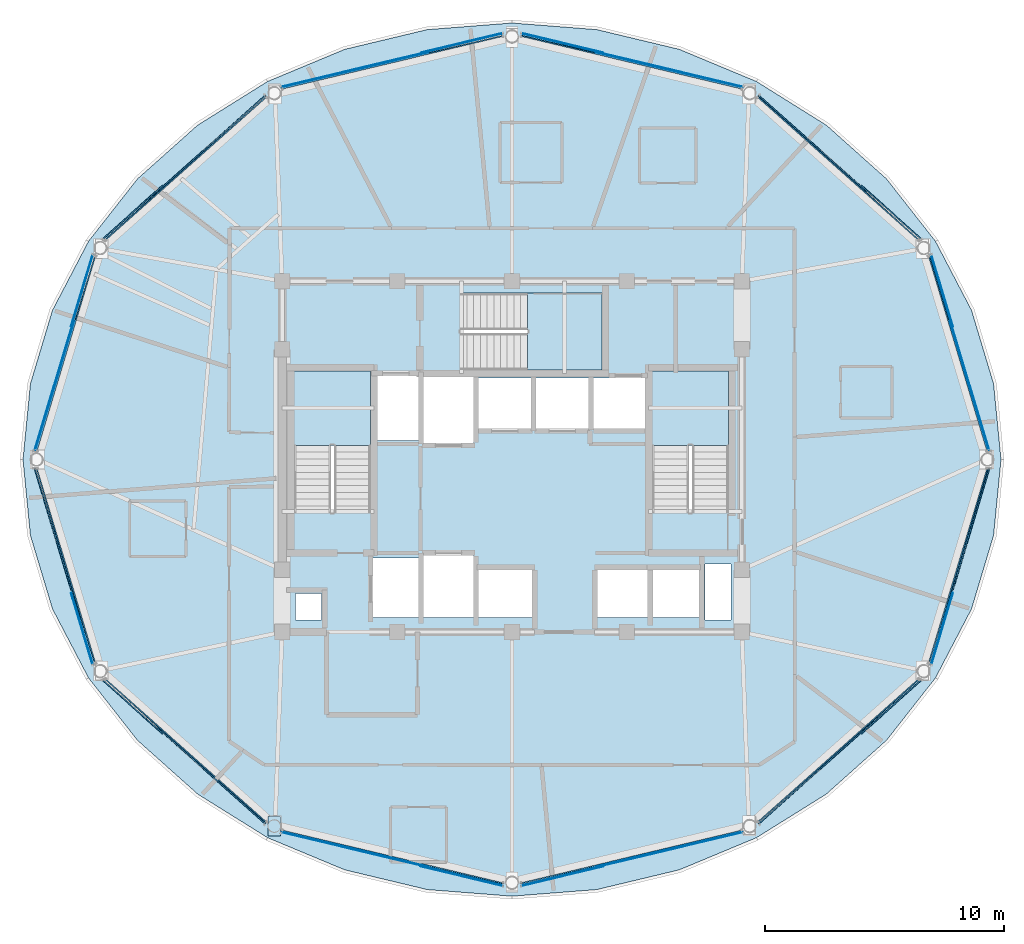
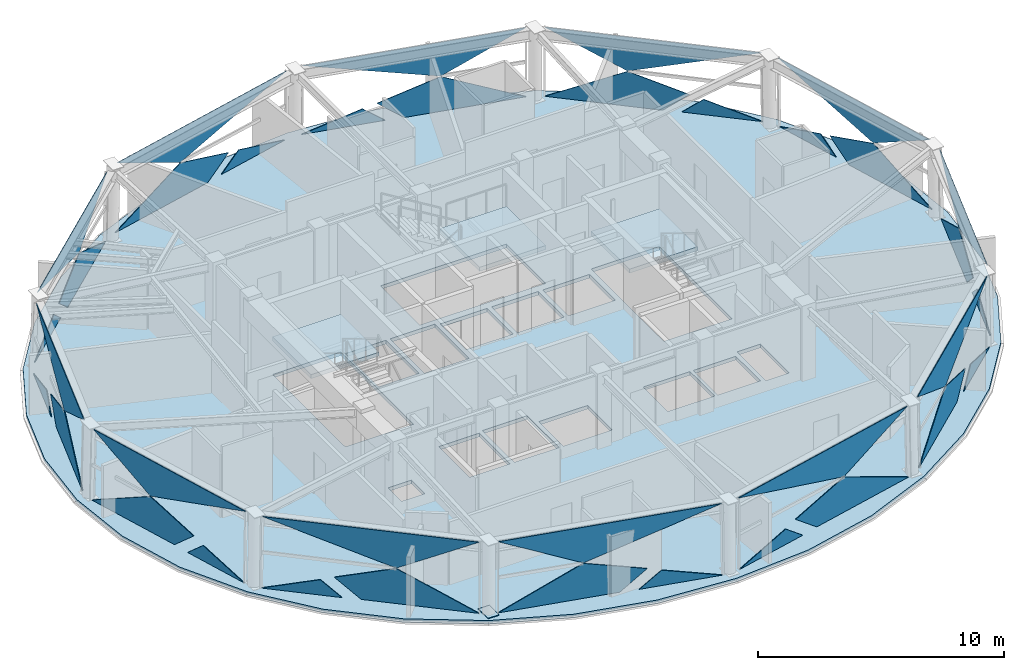
# One storey, part 7 of 15: 37 plates, 4 slabs, 15 elements without a shape of their own.
"""IFC4 building model written with IfcOpenShell, lengths in metres."""

from ifc_helpers import new_model, si_unit, direction, frame, origin, place, context, subcontext, project, spatial, polyline, outline, extrude, material, layer, layer_set, type_object, element, aggregate, save


model = new_model("IFC4")

# Units and contexts
model_context = context("Model", 3, precision=1e-05, world=origin(), true_north=direction((0.0, 1.0)))
body_context = subcontext(model_context, "Body", "Model", "MODEL_VIEW")
ifc_project = project(units=[si_unit("LENGTHUNIT", "METRE"), si_unit("AREAUNIT", "SQUARE_METRE"), si_unit("VOLUMEUNIT", "CUBIC_METRE"), si_unit("PLANEANGLEUNIT", "RADIAN"), si_unit("MASSUNIT", "GRAM", prefix="KILO")], contexts=[model_context])

# Site, building, storey
site_placement = place(None, origin())
site = spatial("IfcSite", under=ifc_project, at=site_placement, CompositionType="ELEMENT")
building_placement = place(site_placement, origin())
building = spatial("IfcBuilding", under=site, at=building_placement, Name="Vantalir Tower", CompositionType="ELEMENT")
storey_placement = place(building_placement, frame((0.0, 0.0, 263.85009765625)))
storey = spatial("IfcBuildingStorey", under=building, at=storey_placement, Name="L66", CompositionType="ELEMENT", Elevation=263.85009765625)

# Curtain wall, plates
ifc_material_1 = material(Name="Champagne-silver PVDF aluminium and double-silver Low-E glass", Category="aluminium")
ifc_layer_1 = layer(ifc_material_1, 0.219970703125)
ifc_layer_set_1 = layer_set([ifc_layer_1], Name="Champagne-silver PVDF aluminium and double-silver Low-E glass")
curtain_wall_type = type_object("IfcCurtainWallType", Name="CW-DIAMOND-Z4", PredefinedType="USERDEFINED", material=ifc_layer_set_1)
curtain_wall_1_placement = place(storey_placement, origin())
curtain_wall_1 = element("IfcCurtainWall", 1, at=curtain_wall_1_placement, inside=storey, type_object=curtain_wall_type, Name="L66 Quilted Pyramid-Diamond Curtain Wall S01", ObjectType="UNITISED CURTAIN WALL", PredefinedType="USERDEFINED")
ifc_material_2 = material(Name="Double-silver Low-E acoustic glass IGU", Category="glass")
ifc_layer_2 = layer(ifc_material_2, 0.031982421875)
ifc_layer_set_2 = layer_set([ifc_layer_2], Name="Double-silver Low-E acoustic glass IGU")
plate_type_1 = type_object("IfcPlateType", Name="CWP-IGU-32", PredefinedType="CURTAIN_PANEL", material=ifc_layer_set_2)
plate_1_placement = place(storey_placement, frame((51.443359375, 25.3876953125, 0.047119140625), z_axis=(0.957579132752, 0.288051979615, 0.008262055344), x_axis=(-0.288061393133, 0.957611941757, -5.2833127e-05)))
plate_1 = element("IfcPlate", 2, at=plate_1_placement, type_object=plate_type_1, Name="CW-L66-S01 Pyramid Diamond Facet 1L", PredefinedType="CURTAIN_PANEL", context=body_context, shape_type="SweptSolid", body=[
    extrude(outline(polyline([(0.0, 0.0), (4.60947018482512, -1.7889335846010823e-18), (5.669747158949871, 0.9322161352033457), (3.244089292170542, 1.7250844007954684), (0.0, 0.0)])), origin(), (0.0, 0.0, -1.0), 0.031982421875),
])
plate_2_placement = place(storey_placement, frame((49.927978515625, 30.55078125, 0.047119140625), z_axis=(0.957578803947, 0.288050896707, 0.008337573853), x_axis=(-0.288060909178, 0.957612088794, 0.0)))
plate_2 = element("IfcPlate", 3, at=plate_2_placement, type_object=plate_type_1, Name="CW-L66-S01 Pyramid Diamond Facet 1L Infill Light", PredefinedType="CURTAIN_PANEL", context=body_context, shape_type="SweptSolid", body=[
    extrude(outline(polyline([(0.0, 0.0), (3.140950845544481, 0.0), (0.851361854346743, 0.7485611748687764), (0.0, 0.0)])), origin(), (0.0, 0.0, -1.0), 0.031982421875),
])
plate_3_placement = place(storey_placement, frame((48.919677734375, 33.51220703125, 3.52294921875), z_axis=(0.957006648877, 0.28786588428, 0.035658192242), x_axis=(0.28805005381, -0.957615353716, -2.8776229e-05)))
plate_3 = element("IfcPlate", 4, at=plate_3_placement, type_object=plate_type_1, Name="CW-L66-S01 Pyramid Diamond Facet 2U", PredefinedType="CURTAIN_PANEL", context=body_context, shape_type="SweptSolid", body=[
    extrude(outline(polyline([(0.0, 0.0), (8.484107619229576, -4.824699667560495e-18), (5.263066325988414, 1.7260438929673474), (0.0, 0.0)])), origin(), (0.0, 0.0, -1.0), 0.031982421875),
])
aggregate(curtain_wall_1, [plate_1, plate_2, plate_3])

curtain_wall_2_placement = place(storey_placement, origin())
curtain_wall_2 = element("IfcCurtainWall", 5, at=curtain_wall_2_placement, inside=storey, type_object=curtain_wall_type, Name="L66 Quilted Pyramid-Diamond Curtain Wall S02", ObjectType="UNITISED CURTAIN WALL", PredefinedType="USERDEFINED")
plate_4_placement = place(storey_placement, frame((45.480712890625, 36.957763671875, 0.046875), z_axis=(0.665246390525, 0.746589332534, 0.007183901462), x_axis=(-0.746608598193, 0.665263557626, -5.0783e-08)))
plate_4 = element("IfcPlate", 6, at=plate_4_placement, type_object=plate_type_1, Name="CW-L66-S02 Pyramid Diamond Facet 1L", PredefinedType="CURTAIN_PANEL", context=body_context, shape_type="SweptSolid", body=[
    extrude(outline(polyline([(0.0, 0.0), (4.886711041195017, 0.0), (1.4535860568821324, 1.7253863935167244), (-1.1151215287686458, 0.9326409490936326), (0.0, 0.0)])), origin(), (0.0, 0.0, -1.0), 0.031982421875),
])
plate_5_placement = place(storey_placement, frame((48.59375, 34.232177734375, 0.046875), z_axis=(0.665239616842, 0.746595391537, 0.007181470549), x_axis=(-0.746614991491, 0.665256378509, 7.3032866e-05)))
plate_5 = element("IfcPlate", 7, at=plate_5_placement, type_object=plate_type_1, Name="CW-L66-S02 Pyramid Diamond Facet 1L Infill Light", PredefinedType="CURTAIN_PANEL", context=body_context, shape_type="SweptSolid", body=[
    extrude(outline(polyline([(0.0, 0.0), (3.3428870807824964, -3.4423418976414766e-18), (2.441822608144259, 0.7535032087373149), (0.0, 0.0)])), origin(), (0.0, 0.0, -1.0), 0.031982421875),
])
plate_6_placement = place(storey_placement, frame((41.792236328125, 40.146728515625, 3.522705078125), z_axis=(0.664843497891, 0.746176490861, 0.034695357008), x_axis=(0.7466247522, -0.665245425726, 5.4343457e-05)))
plate_6 = element("IfcPlate", 8, at=plate_6_placement, type_object=plate_type_1, Name="CW-L66-S02 Pyramid Diamond Facet 2U", PredefinedType="CURTAIN_PANEL", context=body_context, shape_type="SweptSolid", body=[
    extrude(outline(polyline([(0.0, 0.0), (8.985097365156943, 8.239936510889834e-18), (3.4218145293153066, 1.7263229709119723), (0.0, 0.0)])), origin(), (0.0, 0.0, -1.0), 0.031982421875),
])
aggregate(curtain_wall_2, [plate_4, plate_5, plate_6])

curtain_wall_3_placement = place(storey_placement, origin())
curtain_wall_3 = element("IfcCurtainWall", 9, at=curtain_wall_3_placement, inside=storey, type_object=curtain_wall_type, Name="L66 Quilted Pyramid-Diamond Curtain Wall S03", ObjectType="UNITISED CURTAIN WALL", PredefinedType="USERDEFINED")
plate_7_placement = place(storey_placement, frame((41.13623046875, 40.572021484375, 0.046875), z_axis=(0.232147834204, 0.972659969732, 0.006321894939), x_axis=(-0.972679336509, 0.232152764538, -4.7388153e-05)))
plate_7 = element("IfcPlate", 10, at=plate_7_placement, type_object=plate_type_1, Name="CW-L66-S03 Pyramid Diamond Facet 1L", PredefinedType="CURTAIN_PANEL", context=body_context, shape_type="SweptSolid", body=[
    extrude(outline(polyline([(0.0, 0.0), (5.152992034217672, -4.0657581468206416e-19), (6.3239517055065, 0.9319589301265866), (3.616959121264807, 1.7257917774481315), (0.0, 0.0)])), origin(), (0.0, 0.0, -1.0), 0.031982421875),
])
plate_8_placement = place(storey_placement, frame((35.336181640625, 41.993408203125, 0.046875), z_axis=(0.232136332515, 0.972662988728, 0.006279608739), x_axis=(-0.972682167041, 0.232140909623, 0.0)))
plate_8 = element("IfcPlate", 11, at=plate_8_placement, type_object=plate_type_1, Name="CW-L66-S03 Pyramid Diamond Facet 1L Infill Light", PredefinedType="CURTAIN_PANEL", context=body_context, shape_type="SweptSolid", body=[
    extrude(outline(polyline([(0.0, 0.0), (3.5305284167973365, 0.0), (0.9506483111414789, 0.7563625694033848), (0.0, 0.0)])), origin(), (0.0, 0.0, -1.0), 0.031982421875),
])
plate_9_placement = place(storey_placement, frame((31.893798828125, 42.70703125, 3.523193359375), z_axis=(0.232088026651, 0.972114723988, 0.033587368018), x_axis=(0.972663716211, -0.232218204499, -2.580489e-05)))
plate_9 = element("IfcPlate", 12, at=plate_9_placement, type_object=plate_type_1, Name="CW-L66-S03 Pyramid Diamond Facet 2U", PredefinedType="CURTAIN_PANEL", context=body_context, shape_type="SweptSolid", body=[
    extrude(outline(polyline([(0.0, 0.0), (9.461021753718784, -4.336808689942018e-19), (5.868683808633244, 1.7266528410726916), (0.0, 0.0)])), origin(), (0.0, 0.0, -1.0), 0.031982421875),
])
aggregate(curtain_wall_3, [plate_7, plate_8, plate_9])

curtain_wall_4_placement = place(storey_placement, origin())
curtain_wall_4 = element("IfcCurtainWall", 13, at=curtain_wall_4_placement, inside=storey, type_object=curtain_wall_type, Name="L66 Quilted Pyramid-Diamond Curtain Wall S04", ObjectType="UNITISED CURTAIN WALL", PredefinedType="USERDEFINED")
plate_10_placement = place(storey_placement, frame((26.8759765625, 41.768310546875, 0.046630859375), z_axis=(-0.232147834204, 0.972659969732, 0.006321894939), x_axis=(-0.972679336509, -0.232152764538, 4.7388153e-05)))
plate_10 = element("IfcPlate", 14, at=plate_10_placement, type_object=plate_type_1, Name="CW-L66-S04 Pyramid Diamond Facet 1L", PredefinedType="CURTAIN_PANEL", context=body_context, shape_type="SweptSolid", body=[
    extrude(outline(polyline([(0.0, 0.0), (5.152992034217672, 4.0657581468206416e-19), (1.5360329129528647, 1.7257917774481315), (-1.170959671288829, 0.9319589301265865), (0.0, 0.0)])), origin(), (0.0, 0.0, -1.0), 0.031982421875),
])
plate_11_placement = place(storey_placement, frame((31.097900390625, 42.81298828125, 0.046875), z_axis=(-0.232136332515, 0.972662988728, 0.006279608739), x_axis=(-0.972682167041, -0.232140909623, 0.0)))
plate_11 = element("IfcPlate", 15, at=plate_11_placement, type_object=plate_type_1, Name="CW-L66-S04 Pyramid Diamond Facet 1L Infill Light", PredefinedType="CURTAIN_PANEL", context=body_context, shape_type="SweptSolid", body=[
    extrude(outline(polyline([(0.0, 0.0), (3.5305284167973365, 0.0), (2.5798801056558576, 0.7563625694033848), (0.0, 0.0)])), origin(), (0.0, 0.0, -1.0), 0.031982421875),
])
plate_12_placement = place(storey_placement, frame((21.90380859375, 40.510009765625, 3.52294921875), z_axis=(-0.232088026651, 0.972114723988, 0.033587368018), x_axis=(0.972663716211, 0.232218204499, 2.580489e-05)))
plate_12 = element("IfcPlate", 16, at=plate_12_placement, type_object=plate_type_1, Name="CW-L66-S04 Pyramid Diamond Facet 2U", PredefinedType="CURTAIN_PANEL", context=body_context, shape_type="SweptSolid", body=[
    extrude(outline(polyline([(0.0, 0.0), (9.461021753718784, 4.336808689942018e-19), (3.5923379450855397, 1.7266528410726916), (0.0, 0.0)])), origin(), (0.0, 0.0, -1.0), 0.031982421875),
])
aggregate(curtain_wall_4, [plate_10, plate_11, plate_12])

curtain_wall_5_placement = place(storey_placement, origin())
curtain_wall_5 = element("IfcCurtainWall", 17, at=curtain_wall_5_placement, inside=storey, type_object=curtain_wall_type, Name="L66 Quilted Pyramid-Diamond Curtain Wall S05", ObjectType="UNITISED CURTAIN WALL", PredefinedType="USERDEFINED")
plate_13_placement = place(storey_placement, frame((21.167724609375, 40.208740234375, 0.046875), z_axis=(-0.665246390525, 0.746589332534, 0.007183901462), x_axis=(-0.746608598193, -0.665263557626, 5.0783e-08)))
plate_13 = element("IfcPlate", 18, at=plate_13_placement, type_object=plate_type_1, Name="CW-L66-S05 Pyramid Diamond Facet 1L", PredefinedType="CURTAIN_PANEL", context=body_context, shape_type="SweptSolid", body=[
    extrude(outline(polyline([(0.0, 0.0), (4.886711041195017, 0.0), (6.001832569963662, 0.9326409490936326), (3.4331249843128853, 1.7253863935167244), (0.0, 0.0)])), origin(), (0.0, 0.0, -1.0), 0.031982421875),
])
plate_14_placement = place(storey_placement, frame((16.902099609375, 36.4560546875, 0.047119140625), z_axis=(-0.665239616842, 0.746595391537, 0.007181470549), x_axis=(-0.746614991491, -0.665256378509, -7.3032866e-05)))
plate_14 = element("IfcPlate", 19, at=plate_14_placement, type_object=plate_type_1, Name="CW-L66-S05 Pyramid Diamond Facet 1L Infill Light", PredefinedType="CURTAIN_PANEL", context=body_context, shape_type="SweptSolid", body=[
    extrude(outline(polyline([(0.0, 0.0), (3.3428870807824964, 3.4423418976414766e-18), (0.9010644726382367, 0.7535032087373149), (0.0, 0.0)])), origin(), (0.0, 0.0, -1.0), 0.031982421875),
])
plate_15_placement = place(storey_placement, frame((14.499267578125, 34.16943359375, 3.523193359375), z_axis=(-0.664843497891, 0.746176490861, 0.034695357008), x_axis=(0.7466247522, 0.665245425726, -5.4343457e-05)))
plate_15 = element("IfcPlate", 20, at=plate_15_placement, type_object=plate_type_1, Name="CW-L66-S05 Pyramid Diamond Facet 2U", PredefinedType="CURTAIN_PANEL", context=body_context, shape_type="SweptSolid", body=[
    extrude(outline(polyline([(0.0, 0.0), (8.985097365156943, -8.239936510889834e-18), (5.563282835841637, 1.726322970911972), (0.0, 0.0)])), origin(), (0.0, 0.0, -1.0), 0.031982421875),
])
aggregate(curtain_wall_5, [plate_13, plate_14, plate_15])

curtain_wall_6_placement = place(storey_placement, origin())
curtain_wall_6 = element("IfcCurtainWall", 21, at=curtain_wall_6_placement, inside=storey, type_object=curtain_wall_type, Name="L66 Quilted Pyramid-Diamond Curtain Wall S06", ObjectType="UNITISED CURTAIN WALL", PredefinedType="USERDEFINED")
plate_16_placement = place(storey_placement, frame((12.884521484375, 29.8017578125, 0.046875), z_axis=(-0.957579132752, 0.288051979615, 0.008262055344), x_axis=(-0.288061393133, -0.957611941757, 5.2833127e-05)))
plate_16 = element("IfcPlate", 22, at=plate_16_placement, type_object=plate_type_1, Name="CW-L66-S06 Pyramid Diamond Facet 1L", PredefinedType="CURTAIN_PANEL", context=body_context, shape_type="SweptSolid", body=[
    extrude(outline(polyline([(0.0, 0.0), (4.60947018482512, 1.7889335846010823e-18), (1.365380892654578, 1.7250844007954684), (-1.0602769741247509, 0.9322161352033457), (0.0, 0.0)])), origin(), (0.0, 0.0, -1.0), 0.031982421875),
])
plate_17_placement = place(storey_placement, frame((13.976806640625, 33.55859375, 0.047119140625), z_axis=(-0.957578803947, 0.288050896707, 0.008337573853), x_axis=(-0.288060909178, -0.957612088794, 0.0)))
plate_17 = element("IfcPlate", 23, at=plate_17_placement, type_object=plate_type_1, Name="CW-L66-S06 Pyramid Diamond Facet 1L Infill Light", PredefinedType="CURTAIN_PANEL", context=body_context, shape_type="SweptSolid", body=[
    extrude(outline(polyline([(0.0, 0.0), (3.140950845544481, 0.0), (2.2895889911977374, 0.7485611748687764), (0.0, 0.0)])), origin(), (0.0, 0.0, -1.0), 0.031982421875),
])
plate_18_placement = place(storey_placement, frame((11.636474609375, 25.3876953125, 3.522705078125), z_axis=(-0.957006648877, 0.28786588428, 0.035658192242), x_axis=(0.28805005381, 0.957615353716, 2.8776229e-05)))
plate_18 = element("IfcPlate", 24, at=plate_18_placement, type_object=plate_type_1, Name="CW-L66-S06 Pyramid Diamond Facet 2U", PredefinedType="CURTAIN_PANEL", context=body_context, shape_type="SweptSolid", body=[
    extrude(outline(polyline([(0.0, 0.0), (8.484107619229576, 4.824699667560495e-18), (3.221041293241161, 1.7260438929673474), (0.0, 0.0)])), origin(), (0.0, 0.0, -1.0), 0.031982421875),
])
aggregate(curtain_wall_6, [plate_16, plate_17, plate_18])

curtain_wall_7_placement = place(storey_placement, origin())
curtain_wall_7 = element("IfcCurtainWall", 25, at=curtain_wall_7_placement, inside=storey, type_object=curtain_wall_type, Name="L66 Quilted Pyramid-Diamond Curtain Wall S07", ObjectType="UNITISED CURTAIN WALL", PredefinedType="USERDEFINED")
plate_19_placement = place(storey_placement, frame((11.556640625, 24.6123046875, 0.047119140625), z_axis=(-0.957577696408, -0.288054343171, 0.008345700861), x_axis=(0.288063950472, -0.957611172459, -5.3103368e-05)))
plate_19 = element("IfcPlate", 26, at=plate_19_placement, type_object=plate_type_1, Name="CW-L66-S07 Pyramid Diamond Facet 1L", PredefinedType="CURTAIN_PANEL", context=body_context, shape_type="SweptSolid", body=[
    extrude(outline(polyline([(0.0, 0.0), (4.609937768585468, 3.63207727782644e-18), (5.670284839276794, 0.9322183435675204), (3.2440888642454095, 1.725085205267453), (0.0, 0.0)])), origin(), (0.0, 0.0, -1.0), 0.031982421875),
])
plate_20_placement = place(storey_placement, frame((13.072265625, 19.44873046875, 0.047119140625), z_axis=(-0.957587054693, -0.28802240929, 0.008374033124), x_axis=(0.288032508525, -0.957620631583, 0.0)))
plate_20 = element("IfcPlate", 27, at=plate_20_placement, type_object=plate_type_1, Name="CW-L66-S07 Pyramid Diamond Facet 1L Infill Light", PredefinedType="CURTAIN_PANEL", context=body_context, shape_type="SweptSolid", body=[
    extrude(outline(polyline([(0.0, 0.0), (3.1404129355274613, 8.673617379884035e-19), (0.8513616688734605, 0.7483172537457131), (0.0, 0.0)])), origin(), (0.0, 0.0, -1.0), 0.031982421875),
])
plate_21_placement = place(storey_placement, frame((14.080322265625, 16.48681640625, 3.52294921875), z_axis=(-0.95701691239, -0.287834374615, 0.035637090079), x_axis=(-0.288018306478, 0.957624902718, -2.8773058e-05)))
plate_21 = element("IfcPlate", 28, at=plate_21_placement, type_object=plate_type_1, Name="CW-L66-S07 Pyramid Diamond Facet 2U", PredefinedType="CURTAIN_PANEL", context=body_context, shape_type="SweptSolid", body=[
    extrude(outline(polyline([(0.0, 0.0), (8.485042795136295, -1.8865117801247777e-17), (5.263765662606117, 1.7260425894802527), (0.0, 0.0)])), origin(), (0.0, 0.0, -1.0), 0.031982421875),
])
aggregate(curtain_wall_7, [plate_19, plate_20, plate_21])

curtain_wall_8_placement = place(storey_placement, origin())
curtain_wall_8 = element("IfcCurtainWall", 29, at=curtain_wall_8_placement, inside=storey, type_object=curtain_wall_type, Name="L66 Quilted Pyramid-Diamond Curtain Wall S08", ObjectType="UNITISED CURTAIN WALL", PredefinedType="USERDEFINED")
plate_22_placement = place(storey_placement, frame((17.51953125, 13.0419921875, 0.046875), z_axis=(-0.665254270422, -0.746583130803, 0.00709820303), x_axis=(0.746601939852, -0.665271030039, 4.9714e-08)))
plate_22 = element("IfcPlate", 30, at=plate_22_placement, type_object=plate_type_1, Name="CW-L66-S08 Pyramid Diamond Facet 1L", PredefinedType="CURTAIN_PANEL", context=body_context, shape_type="SweptSolid", body=[
    extrude(outline(polyline([(0.0, 0.0), (4.8863663457466995, 0.0), (1.4534038302802497, 1.7253851914915233), (-1.1151215016994003, 0.9326409814710895), (0.0, 0.0)])), origin(), (0.0, 0.0, -1.0), 0.031982421875),
])
plate_23_placement = place(storey_placement, frame((14.40625, 15.767822265625, 0.046875), z_axis=(-0.665244086033, -0.746591477633, 0.007174365811), x_axis=(0.746611039031, -0.665260814316, 7.3025336e-05)))
plate_23 = element("IfcPlate", 31, at=plate_23_placement, type_object=plate_type_1, Name="CW-L66-S08 Pyramid Diamond Facet 1L Infill Light", PredefinedType="CURTAIN_PANEL", context=body_context, shape_type="SweptSolid", body=[
    extrude(outline(polyline([(0.0, 0.0), (3.3432317760001933, 2.3310346708438345e-18), (2.442167265554629, 0.7535031635260392), (0.0, 0.0)])), origin(), (0.0, 0.0, -1.0), 0.031982421875),
])
plate_24_placement = place(storey_placement, frame((21.207763671875, 9.853271484375, 3.522705078125), z_axis=(-0.664784216187, -0.746231871101, 0.034640156774), x_axis=(-0.746678737206, 0.665184831795, 5.4347386e-05)))
plate_24 = element("IfcPlate", 32, at=plate_24_placement, type_object=plate_type_1, Name="CW-L66-S08 Pyramid Diamond Facet 2U", PredefinedType="CURTAIN_PANEL", context=body_context, shape_type="SweptSolid", body=[
    extrude(outline(polyline([(0.0, 0.0), (8.984447741006695, 1.1384122811097797e-17), (3.421656973390234, 1.7263196682163242), (0.0, 0.0)])), origin(), (0.0, 0.0, -1.0), 0.031982421875),
])
aggregate(curtain_wall_8, [plate_22, plate_23, plate_24])

curtain_wall_9_placement = place(storey_placement, origin())
curtain_wall_9 = element("IfcCurtainWall", 33, at=curtain_wall_9_placement, inside=storey, type_object=curtain_wall_type, Name="L66 Quilted Pyramid-Diamond Curtain Wall S09", ObjectType="UNITISED CURTAIN WALL", PredefinedType="USERDEFINED")
plate_25_placement = place(storey_placement, frame((21.86376953125, 9.427978515625, 0.046875), z_axis=(-0.232147834204, -0.972659969732, 0.006321894939), x_axis=(0.972679336509, -0.232152764538, -4.7388153e-05)))
plate_25 = element("IfcPlate", 34, at=plate_25_placement, type_object=plate_type_1, Name="CW-L66-S09 Pyramid Diamond Facet 1L", PredefinedType="CURTAIN_PANEL", context=body_context, shape_type="SweptSolid", body=[
    extrude(outline(polyline([(0.0, 0.0), (5.152992034217672, -4.0657581468206416e-19), (6.3239517055065, 0.9319589301265866), (3.616959121264807, 1.7257917774481315), (0.0, 0.0)])), origin(), (0.0, 0.0, -1.0), 0.031982421875),
])
plate_26_placement = place(storey_placement, frame((27.663818359375, 8.006591796875, 0.046875), z_axis=(-0.232136332515, -0.972662988728, 0.006279608739), x_axis=(0.972682167041, -0.232140909623, 0.0)))
plate_26 = element("IfcPlate", 35, at=plate_26_placement, type_object=plate_type_1, Name="CW-L66-S09 Pyramid Diamond Facet 1L Infill Light", PredefinedType="CURTAIN_PANEL", context=body_context, shape_type="SweptSolid", body=[
    extrude(outline(polyline([(0.0, 0.0), (3.5305284167973365, 0.0), (0.9506483111414789, 0.7563625694033848), (0.0, 0.0)])), origin(), (0.0, 0.0, -1.0), 0.031982421875),
])
plate_27_placement = place(storey_placement, frame((31.106201171875, 7.29296875, 3.523193359375), z_axis=(-0.232088026651, -0.972114723988, 0.033587368018), x_axis=(-0.972663716211, 0.232218204499, -2.580489e-05)))
plate_27 = element("IfcPlate", 36, at=plate_27_placement, type_object=plate_type_1, Name="CW-L66-S09 Pyramid Diamond Facet 2U", PredefinedType="CURTAIN_PANEL", context=body_context, shape_type="SweptSolid", body=[
    extrude(outline(polyline([(0.0, 0.0), (9.461021753718784, -4.336808689942018e-19), (5.868683808633244, 1.7266528410726916), (0.0, 0.0)])), origin(), (0.0, 0.0, -1.0), 0.031982421875),
])
aggregate(curtain_wall_9, [plate_25, plate_26, plate_27])

curtain_wall_10_placement = place(storey_placement, origin())
curtain_wall_10 = element("IfcCurtainWall", 37, at=curtain_wall_10_placement, inside=storey, type_object=curtain_wall_type, Name="L66 Quilted Pyramid-Diamond Curtain Wall S10", ObjectType="UNITISED CURTAIN WALL", PredefinedType="USERDEFINED")
plate_28_placement = place(storey_placement, frame((36.1240234375, 8.231689453125, 0.046630859375), z_axis=(0.232147834204, -0.972659969732, 0.006321894939), x_axis=(0.972679336509, 0.232152764538, 4.7388153e-05)))
plate_28 = element("IfcPlate", 38, at=plate_28_placement, type_object=plate_type_1, Name="CW-L66-S10 Pyramid Diamond Facet 1L", PredefinedType="CURTAIN_PANEL", context=body_context, shape_type="SweptSolid", body=[
    extrude(outline(polyline([(0.0, 0.0), (5.152992034217672, 4.0657581468206416e-19), (1.5360329129528647, 1.7257917774481315), (-1.170959671288829, 0.9319589301265865), (0.0, 0.0)])), origin(), (0.0, 0.0, -1.0), 0.031982421875),
])
plate_29_placement = place(storey_placement, frame((31.902099609375, 7.18701171875, 0.046875), z_axis=(0.232136332515, -0.972662988728, 0.006279608739), x_axis=(0.972682167041, 0.232140909623, 0.0)))
plate_29 = element("IfcPlate", 39, at=plate_29_placement, type_object=plate_type_1, Name="CW-L66-S10 Pyramid Diamond Facet 1L Infill Light", PredefinedType="CURTAIN_PANEL", context=body_context, shape_type="SweptSolid", body=[
    extrude(outline(polyline([(0.0, 0.0), (3.5305284167973365, 0.0), (2.5798801056558576, 0.7563625694033848), (0.0, 0.0)])), origin(), (0.0, 0.0, -1.0), 0.031982421875),
])
plate_30_placement = place(storey_placement, frame((41.09619140625, 9.489990234375, 3.52294921875), z_axis=(0.232088026651, -0.972114723988, 0.033587368018), x_axis=(-0.972663716211, -0.232218204499, 2.580489e-05)))
plate_30 = element("IfcPlate", 40, at=plate_30_placement, type_object=plate_type_1, Name="CW-L66-S10 Pyramid Diamond Facet 2U", PredefinedType="CURTAIN_PANEL", context=body_context, shape_type="SweptSolid", body=[
    extrude(outline(polyline([(0.0, 0.0), (9.461021753718784, 4.336808689942018e-19), (3.5923379450855397, 1.7266528410726916), (0.0, 0.0)])), origin(), (0.0, 0.0, -1.0), 0.031982421875),
])
aggregate(curtain_wall_10, [plate_28, plate_29, plate_30])

curtain_wall_11_placement = place(storey_placement, origin())
curtain_wall_11 = element("IfcCurtainWall", 41, at=curtain_wall_11_placement, inside=storey, type_object=curtain_wall_type, Name="L66 Quilted Pyramid-Diamond Curtain Wall S11", ObjectType="UNITISED CURTAIN WALL", PredefinedType="USERDEFINED")
plate_31_placement = place(storey_placement, frame((41.832275390625, 9.791259765625, 0.046875), z_axis=(0.665254270422, -0.746583130803, 0.00709820303), x_axis=(0.746601939852, 0.665271030039, -4.9714e-08)))
plate_31 = element("IfcPlate", 42, at=plate_31_placement, type_object=plate_type_1, Name="CW-L66-S11 Pyramid Diamond Facet 1L", PredefinedType="CURTAIN_PANEL", context=body_context, shape_type="SweptSolid", body=[
    extrude(outline(polyline([(0.0, 0.0), (4.8863663457466995, 0.0), (6.0014878474461, 0.9326409814710895), (3.4329625154664503, 1.7253851914915233), (0.0, 0.0)])), origin(), (0.0, 0.0, -1.0), 0.031982421875),
])
plate_32_placement = place(storey_placement, frame((46.09765625, 13.543701171875, 0.047119140625), z_axis=(0.665244086033, -0.746591477633, 0.007174365811), x_axis=(0.746611039031, 0.665260814316, -7.3025336e-05)))
plate_32 = element("IfcPlate", 43, at=plate_32_placement, type_object=plate_type_1, Name="CW-L66-S11 Pyramid Diamond Facet 1L Infill Light", PredefinedType="CURTAIN_PANEL", context=body_context, shape_type="SweptSolid", body=[
    extrude(outline(polyline([(0.0, 0.0), (3.3432317760001933, -2.3310346708438345e-18), (0.9010645104455645, 0.7535031635260392), (0.0, 0.0)])), origin(), (0.0, 0.0, -1.0), 0.031982421875),
])
plate_33_placement = place(storey_placement, frame((48.500732421875, 15.82958984375, 3.523193359375), z_axis=(0.664784216187, -0.746231871101, 0.034640156774), x_axis=(-0.746678737206, -0.665184831795, -5.4347386e-05)))
plate_33 = element("IfcPlate", 44, at=plate_33_placement, type_object=plate_type_1, Name="CW-L66-S11 Pyramid Diamond Facet 2U", PredefinedType="CURTAIN_PANEL", context=body_context, shape_type="SweptSolid", body=[
    extrude(outline(polyline([(0.0, 0.0), (8.984447741006695, -1.1384122811097797e-17), (5.562790767616461, 1.7263196682163244), (0.0, 0.0)])), origin(), (0.0, 0.0, -1.0), 0.031982421875),
])
aggregate(curtain_wall_11, [plate_31, plate_32, plate_33])

curtain_wall_12_placement = place(storey_placement, origin())
curtain_wall_12 = element("IfcCurtainWall", 45, at=curtain_wall_12_placement, inside=storey, type_object=curtain_wall_type, Name="L66 Quilted Pyramid-Diamond Curtain Wall S12", ObjectType="UNITISED CURTAIN WALL", PredefinedType="USERDEFINED")
plate_34_placement = place(storey_placement, frame((50.115478515625, 20.19775390625, 0.046875), z_axis=(0.957577696408, -0.288054343171, 0.008345700861), x_axis=(0.288063950472, 0.957611172459, 5.3103368e-05)))
plate_34 = element("IfcPlate", 46, at=plate_34_placement, type_object=plate_type_1, Name="CW-L66-S12 Pyramid Diamond Facet 1L", PredefinedType="CURTAIN_PANEL", context=body_context, shape_type="SweptSolid", body=[
    extrude(outline(polyline([(0.0, 0.0), (4.609937768585468, -3.63207727782644e-18), (1.3658489043400577, 1.725085205267453), (-1.060347070691327, 0.9322183435675204), (0.0, 0.0)])), origin(), (0.0, 0.0, -1.0), 0.031982421875),
])
plate_35_placement = place(storey_placement, frame((49.023193359375, 16.44140625, 0.047119140625), z_axis=(0.957587054693, -0.28802240929, 0.008374033124), x_axis=(0.288032508525, 0.957620631583, 0.0)))
plate_35 = element("IfcPlate", 47, at=plate_35_placement, type_object=plate_type_1, Name="CW-L66-S12 Pyramid Diamond Facet 1L Infill Light", PredefinedType="CURTAIN_PANEL", context=body_context, shape_type="SweptSolid", body=[
    extrude(outline(polyline([(0.0, 0.0), (3.1404129355274613, -8.673617379884035e-19), (2.2890512666540004, 0.7483172537457131), (0.0, 0.0)])), origin(), (0.0, 0.0, -1.0), 0.031982421875),
])
plate_36_placement = place(storey_placement, frame((51.363525390625, 24.6123046875, 3.522705078125), z_axis=(0.95701691239, -0.287834374615, 0.035637090079), x_axis=(-0.288018306478, -0.957624902718, 2.8773058e-05)))
plate_36 = element("IfcPlate", 48, at=plate_36_placement, type_object=plate_type_1, Name="CW-L66-S12 Pyramid Diamond Facet 2U", PredefinedType="CURTAIN_PANEL", context=body_context, shape_type="SweptSolid", body=[
    extrude(outline(polyline([(0.0, 0.0), (8.485042795136295, 1.8865117801247777e-17), (3.221277132530177, 1.7260425894802525), (0.0, 0.0)])), origin(), (0.0, 0.0, -1.0), 0.031982421875),
])
aggregate(curtain_wall_12, [plate_34, plate_35, plate_36])

# Plate
ifc_material_3 = material(Name="Steel S460", Category="steel")
ifc_layer_3 = layer(ifc_material_3, 0.031982421875)
ifc_layer_set_3 = layer_set([ifc_layer_3], Name="Steel S460")
plate_type_2 = type_object("IfcPlateType", Name="PLT-KN-Z3", PredefinedType="USERDEFINED", material=ifc_layer_set_3)
plate_37_placement = place(storey_placement, frame((21.3056640625, 10.087890625, 0.049072265625), z_axis=(0.011269256107, 0.017087827576, 0.999790483059), x_axis=(-2.9386e-08, -0.999853973863, 0.017088913054)))
element("IfcPlate", 49, at=plate_37_placement, inside=storey, type_object=plate_type_2, Name="L66 Ring Column Base Cap RC09", ObjectType="FLANGE_PLATE", PredefinedType="USERDEFINED", context=body_context, shape_type="SweptSolid", body=[
    extrude(outline(polyline([(0.0, 0.0), (0.7999215325946897, 0.0), (0.8000654919374063, 0.5200525781426929), (-0.00010014563137127416, 0.5200525311190801), (0.0, 0.0)])), origin(), (0.0, 0.0, -1.0), 0.031982421875),
])

# Stair, slab
ifc_material_4 = material(Name="Concrete C40/50", Category="concrete")
stair_type = type_object("IfcStairType", Name="STR-CORE-1450", PredefinedType="HALF_TURN_STAIR", material=ifc_material_4)
stair_1_placement = place(storey_placement, origin())
stair_1 = element("IfcStair", 50, at=stair_1_placement, inside=storey, type_object=stair_type, Name="L66 Core Exit Stair 1", PredefinedType="HALF_TURN_STAIR")
ifc_layer_4 = layer(ifc_material_4, 0.199951171875)
ifc_layer_set_4 = layer_set([ifc_layer_4], Name="Concrete C40/50")
slab_type_1 = type_object("IfcSlabType", Name="SL-LAND-200", PredefinedType="LANDING", material=ifc_layer_set_4)
slab_1_placement = place(storey_placement, frame((0.0, 0.0, 1.6748046875)))
slab_1 = element("IfcSlab", 51, at=slab_1_placement, type_object=slab_type_1, Name="ST1 landing 1", PredefinedType="LANDING", context=body_context, shape_type="SweptSolid", body=[
    extrude(outline(polyline([(25.60009765625, 25.590087890625), (25.60009765625, 28.699951171875), (22.39990234375, 28.699951171875), (22.39990234375, 25.590087890625), (25.60009765625, 25.590087890625)])), origin(), (0.0, 0.0, 1.0), 0.2001953125),
])
aggregate(stair_1, [slab_1])

stair_2_placement = place(storey_placement, origin())
stair_2 = element("IfcStair", 52, at=stair_2_placement, inside=storey, type_object=stair_type, Name="L66 Core Exit Stair 2", PredefinedType="HALF_TURN_STAIR")
slab_2_placement = place(storey_placement, frame((0.0, 0.0, 1.6748046875)))
slab_2 = element("IfcSlab", 53, at=slab_2_placement, type_object=slab_type_1, Name="ST2 landing 1", PredefinedType="LANDING", context=body_context, shape_type="SweptSolid", body=[
    extrude(outline(polyline([(40.550048828125, 25.590087890625), (40.550048828125, 28.699951171875), (37.35009765625, 28.699951171875), (37.35009765625, 25.590087890625), (40.550048828125, 25.590087890625)])), origin(), (0.0, 0.0, 1.0), 0.2001953125),
])
aggregate(stair_2, [slab_2])

stair_3_placement = place(storey_placement, origin())
stair_3 = element("IfcStair", 54, at=stair_3_placement, inside=storey, type_object=stair_type, Name="L66 Core Exit Stair 3", PredefinedType="HALF_TURN_STAIR")
slab_3_placement = place(storey_placement, frame((0.0, 0.0, 1.6748046875)))
slab_3 = element("IfcSlab", 55, at=slab_3_placement, type_object=slab_type_1, Name="ST3 landing 1", PredefinedType="LANDING", context=body_context, shape_type="SweptSolid", body=[
    extrude(outline(polyline([(32.139892578125, 28.75), (35.25, 28.75), (35.25, 31.949951171875), (32.139892578125, 31.949951171875), (32.139892578125, 28.75)])), origin(), (0.0, 0.0, 1.0), 0.2001953125),
])
aggregate(stair_3, [slab_3])

# Slab
ifc_layer_5 = layer(ifc_material_4, 0.179931640625)
ifc_layer_set_5 = layer_set([ifc_layer_5], Name="Concrete C40/50")
slab_type_2 = type_object("IfcSlabType", Name="SL-TWR-180", PredefinedType="FLOOR", material=ifc_layer_set_5)
slab_4_placement = place(storey_placement, frame((0.0, 0.0, -0.18017578125)))
element("IfcSlab", 56, at=slab_4_placement, inside=storey, type_object=slab_type_2, Name="L66 Primary Structural Slab", PredefinedType="FLOOR", context=body_context, shape_type="SweptSolid", body=[
    extrude(outline(polyline([(15.85693359375, 13.281005859375), (18.3740234375, 11.032958984375), (21.2900390625, 9.2109375), (24.51611328125, 7.867919921875), (27.9541015625, 7.044921875), (31.5, 6.76806640625), (35.0458984375, 7.044921875), (38.48388671875, 7.867919921875), (41.7099609375, 9.2109375), (44.6259765625, 11.032958984375), (47.14306640625, 13.281005859375), (49.18408203125, 15.884033203125), (50.68896484375, 18.763916015625), (51.610107421875, 21.833984375), (51.919921875, 25.0), (51.610107421875, 28.166015625), (50.68896484375, 31.236083984375), (49.18408203125, 34.115966796875), (47.14306640625, 36.718994140625), (44.6259765625, 38.967041015625), (41.7099609375, 40.7890625), (38.48388671875, 42.132080078125), (35.0458984375, 42.955078125), (31.5, 43.23193359375), (27.9541015625, 42.955078125), (24.51611328125, 42.132080078125), (21.2900390625, 40.7890625), (18.3740234375, 38.967041015625), (15.85693359375, 36.718994140625), (13.81591796875, 34.115966796875), (12.31103515625, 31.236083984375), (11.389892578125, 28.166015625), (11.080078125, 25.0), (11.389892578125, 21.833984375), (12.31103515625, 18.763916015625), (13.81591796875, 15.884033203125), (15.85693359375, 13.281005859375)]), holes=[polyline([(22.39990234375, 28.699951171875), (25.60009765625, 28.699951171875), (25.60009765625, 22.7900390625), (22.39990234375, 22.7900390625), (22.39990234375, 28.699951171875)]), polyline([(40.550048828125, 28.699951171875), (40.550048828125, 22.7900390625), (37.35009765625, 22.7900390625), (37.35009765625, 28.699951171875), (40.550048828125, 28.699951171875)]), polyline([(29.340087890625, 28.75), (29.340087890625, 31.949951171875), (35.25, 31.949951171875), (35.25, 28.75), (29.340087890625, 28.75)]), polyline([(25.699951171875, 18.39990234375), (25.699951171875, 20.89990234375), (27.60009765625, 20.89990234375), (27.60009765625, 18.39990234375), (25.699951171875, 18.39990234375)]), polyline([(25.699951171875, 28.5), (27.60009765625, 28.5), (27.60009765625, 25.800048828125), (25.699951171875, 25.800048828125), (25.699951171875, 28.5)]), polyline([(29.89990234375, 21.0), (29.89990234375, 18.39990234375), (27.800048828125, 18.39990234375), (27.800048828125, 21.0), (29.89990234375, 21.0)]), polyline([(29.89990234375, 25.699951171875), (27.800048828125, 25.699951171875), (27.800048828125, 28.5), (29.89990234375, 28.5), (29.89990234375, 25.699951171875)]), polyline([(30.10009765625, 18.39990234375), (30.10009765625, 20.39990234375), (32.39990234375, 20.39990234375), (32.39990234375, 18.39990234375), (30.10009765625, 18.39990234375)]), polyline([(37.35009765625, 20.39990234375), (39.35009765625, 20.39990234375), (39.35009765625, 18.39990234375), (37.35009765625, 18.39990234375), (37.35009765625, 20.39990234375)]), polyline([(37.199951171875, 20.39990234375), (37.199951171875, 18.39990234375), (35.0, 18.39990234375), (35.0, 20.39990234375), (37.199951171875, 20.39990234375)]), polyline([(32.300048828125, 26.300048828125), (30.10009765625, 26.300048828125), (30.10009765625, 28.39990234375), (32.300048828125, 28.39990234375), (32.300048828125, 26.300048828125)]), polyline([(32.5, 26.300048828125), (32.5, 28.39990234375), (34.699951171875, 28.39990234375), (34.699951171875, 26.300048828125), (32.5, 26.300048828125)]), polyline([(34.89990234375, 28.39990234375), (37.10009765625, 28.39990234375), (37.10009765625, 26.300048828125), (34.89990234375, 26.300048828125), (34.89990234375, 28.39990234375)]), polyline([(23.550048828125, 19.39990234375), (23.550048828125, 18.300048828125), (22.449951171875, 18.300048828125), (22.449951171875, 19.39990234375), (23.550048828125, 19.39990234375)]), polyline([(40.64990234375, 18.300048828125), (39.550048828125, 18.300048828125), (39.550048828125, 20.64990234375), (40.64990234375, 20.64990234375), (40.64990234375, 18.300048828125)])]), origin(), (0.0, 0.0, 1.0), 0.18017578125),
])

save(model, "model.ifc")
